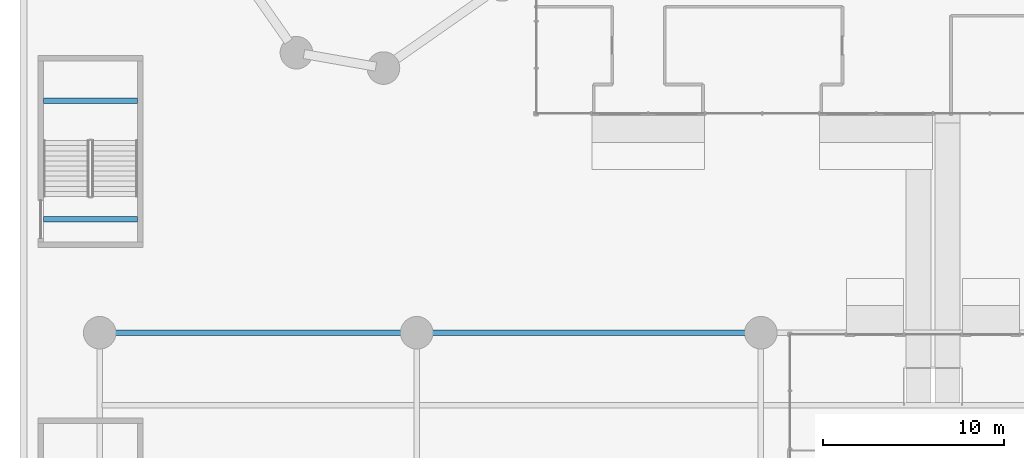
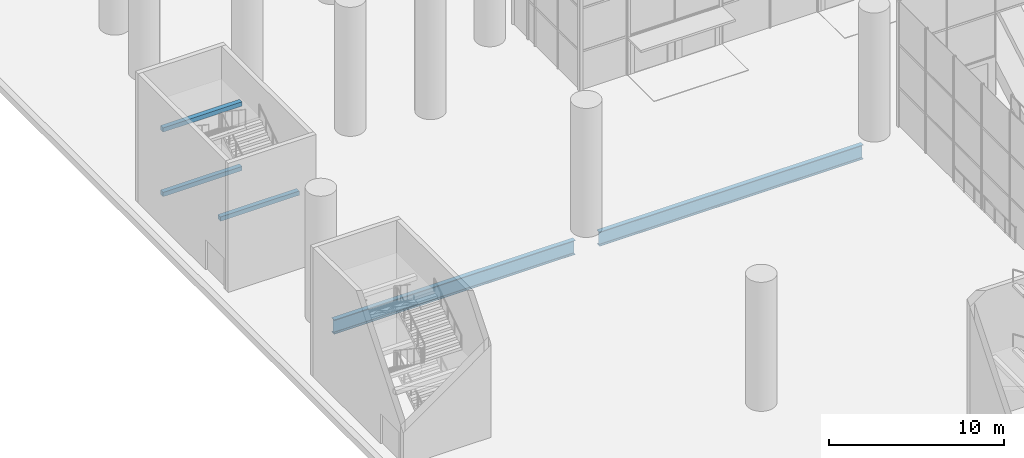
# One storey, part 3 of 37: 5 beams.
"""IFC4 building model written with IfcOpenShell, lengths in metres."""

from ifc_helpers import new_model, si_unit, direction, frame, origin, origin_2d, place, context, subcontext, project, spatial, rectangle, i_section, extrude, material, material_profile, profile_set, type_object, element, save


model = new_model("IFC4")

# Units and contexts
model_context = context("Model", 3, precision=1e-05, world=origin(), true_north=direction((0.0, 1.0)))
body_context = subcontext(model_context, "Body", "Model", "MODEL_VIEW")
ifc_project = project(units=[si_unit("LENGTHUNIT", "METRE"), si_unit("AREAUNIT", "SQUARE_METRE"), si_unit("VOLUMEUNIT", "CUBIC_METRE"), si_unit("PLANEANGLEUNIT", "RADIAN"), si_unit("MASSUNIT", "GRAM", prefix="KILO")], contexts=[model_context])

# Site, building, storey
site_placement = place(None, origin())
site = spatial("IfcSite", under=ifc_project, at=site_placement, CompositionType="ELEMENT")
building_placement = place(site_placement, origin())
building = spatial("IfcBuilding", under=site, at=building_placement, Name="Tel Ilan Convention Tower", CompositionType="ELEMENT")
storey_placement = place(building_placement, origin())
storey = spatial("IfcBuildingStorey", under=building, at=storey_placement, Name="L00", CompositionType="ELEMENT", Elevation=0.0)

# Beams
ifc_material_1 = material(Name="Steel S355", Category="steel")
ifc_material_profile_1 = material_profile(ifc_material_1, i_section(OverallWidth=0.300048828125, OverallDepth=1.0, WebThickness=0.01904296875, FlangeThickness=0.035888671875, FilletRadius=0.030029296875, at=origin_2d()), Name="HEB 1000")
ifc_profile_set_1 = profile_set([ifc_material_profile_1], Name="Steel S355")
beam_type_1 = type_object("IfcBeamType", Name="Girder HEB 1000 Steel S355", PredefinedType="BEAM", material=ifc_profile_set_1)
beam_1_placement = place(storey_placement, frame((-45.199951171875, -48.0, -0.949951171875), z_axis=(1.0, 0.0, 0.0), x_axis=(0.0, 1.0, 0.0)))
element("IfcBeam", 1, at=beam_1_placement, inside=storey, type_object=beam_type_1, Name="L00 beam GX31-2", PredefinedType="BEAM", context=body_context, shape_type="SweptSolid", body=[
    extrude(i_section(OverallWidth=0.300048828125, OverallDepth=1.0, WebThickness=0.01904296875, FlangeThickness=0.035888671875, FilletRadius=0.030029296875, at=origin_2d()), origin(), (0.0, 0.0, 1.0), 15.89990234375),
])
beam_2_placement = place(storey_placement, frame((-27.699951171875, -48.0, -0.949951171875), z_axis=(1.0, 0.0, 0.0), x_axis=(0.0, 1.0, 0.0)))
element("IfcBeam", 2, at=beam_2_placement, inside=storey, type_object=beam_type_1, Name="L00 beam GX32-3", PredefinedType="BEAM", context=body_context, shape_type="SweptSolid", body=[
    extrude(i_section(OverallWidth=0.300048828125, OverallDepth=1.0, WebThickness=0.01904296875, FlangeThickness=0.035888671875, FilletRadius=0.030029296875, at=origin_2d()), origin(), (0.0, 0.0, 1.0), 17.39990234375),
])
ifc_material_2 = material(Name="Concrete C40/50", Category="concrete")
ifc_material_profile_2 = material_profile(ifc_material_2, rectangle(XDim=0.300048828125, YDim=0.300048828125, at=origin_2d()), Name="RC 300x300")
ifc_profile_set_2 = profile_set([ifc_material_profile_2], Name="Concrete C40/50")
beam_type_2 = type_object("IfcBeamType", Name="Landing Beam RC 300x300 Concrete C40/50", PredefinedType="BEAM", material=ifc_profile_set_2)
for number, where, z_axis, x_axis, name in (
    (3, (-43.89990234375, -35.197998046875, 1.89990234375), (-1.0, 0.0, 0.0), (0.0, -1.0, 0.0), "P7 landing beam L00.1"),
    (4, (-43.89990234375, -41.737060546875, 4.14990234375), (-1.0, 0.0, 0.0), (0.0, -1.0, 0.0), "P7 landing beam L00.2"),
    (5, (-43.89990234375, -35.197998046875, 6.39990234375), (-1.0, 0.0, 0.0), (0.0, -1.0, 0.0), "P7 landing beam L00.3"),
):
    element("IfcBeam", number, at=place(storey_placement, frame(where, z_axis=z_axis, x_axis=x_axis)), inside=storey, type_object=beam_type_2, Name=name, PredefinedType="BEAM", context=body_context, shape_type="SweptSolid", body=[
        extrude(rectangle(XDim=0.300048828125, YDim=0.300048828125, at=origin_2d()), origin(), (0.0, 0.0, 1.0), 5.2001953125),
    ])

save(model, "model.ifc")
